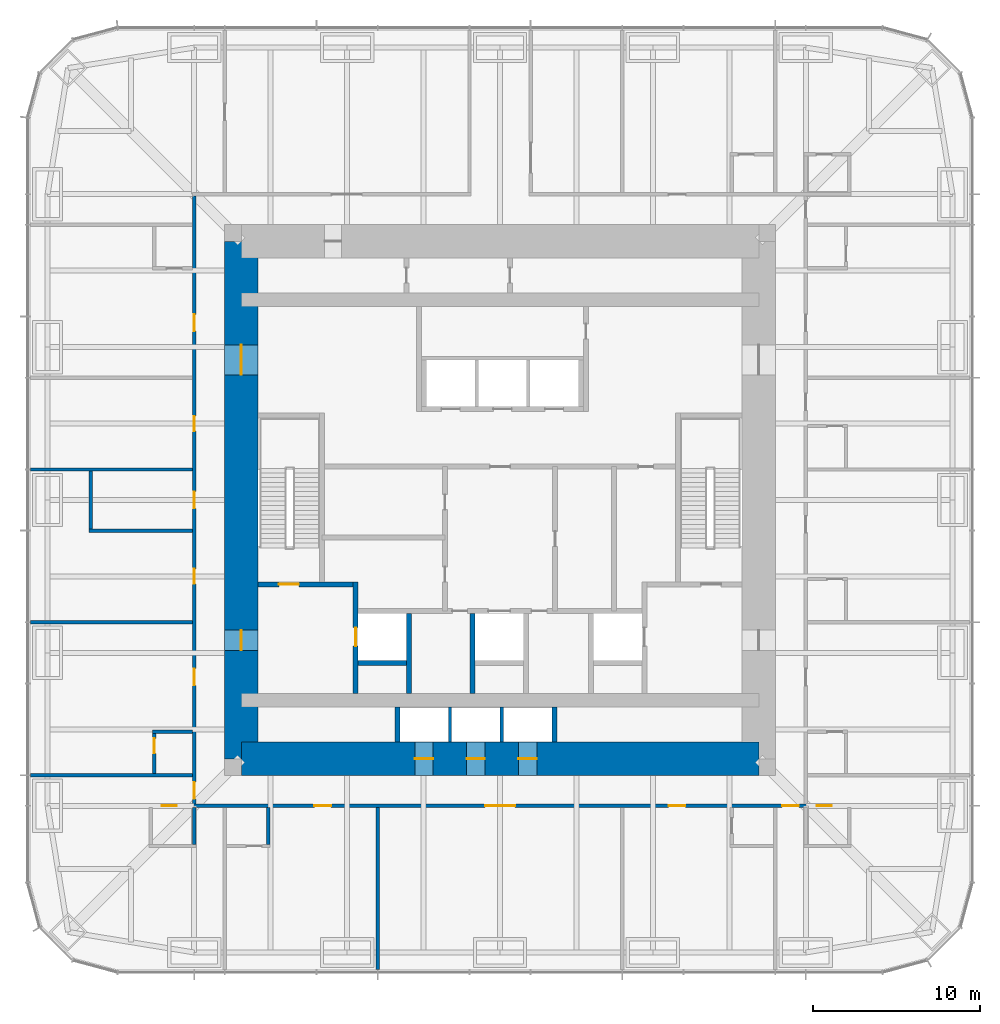
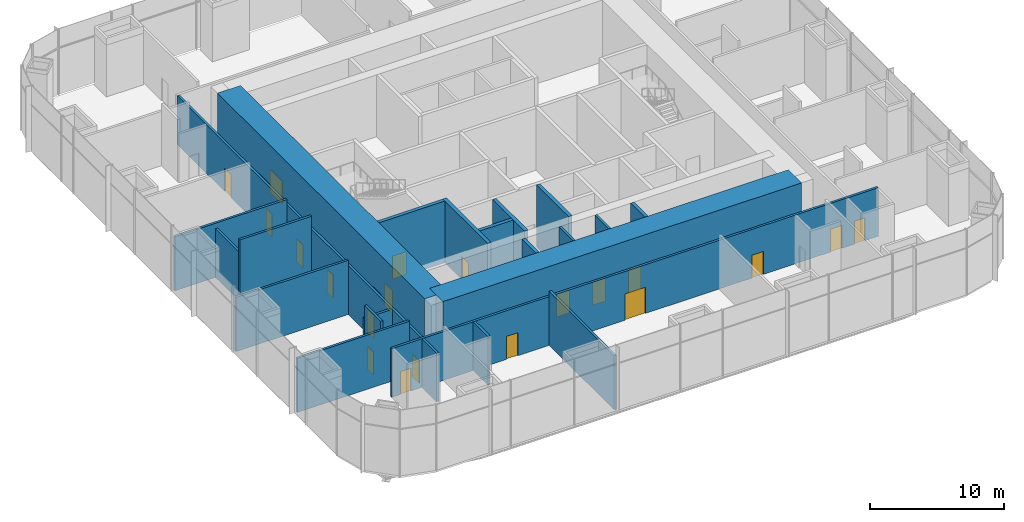
# One storey, part 8 of 12: 23 walls, 20 doors, 20 openings.
"""IFC4 building model written with IfcOpenShell, lengths in metres."""

from ifc_helpers import new_model, si_unit, direction, frame, frame_2d, origin, place, context, subcontext, project, spatial, rectangle, extrude, material, layer, layer_set, type_object, element, fill, save


model = new_model("IFC4")

# Units and contexts
model_context = context("Model", 3, precision=1e-05, world=origin(), true_north=direction((0.0, 1.0)))
body_context = subcontext(model_context, "Body", "Model", "MODEL_VIEW")
ifc_project = project(units=[si_unit("LENGTHUNIT", "METRE"), si_unit("AREAUNIT", "SQUARE_METRE"), si_unit("VOLUMEUNIT", "CUBIC_METRE"), si_unit("PLANEANGLEUNIT", "RADIAN"), si_unit("MASSUNIT", "GRAM", prefix="KILO")], contexts=[model_context])

# Site, building, storey
site_placement = place(None, origin())
site = spatial("IfcSite", under=ifc_project, at=site_placement, CompositionType="ELEMENT")
building_placement = place(site_placement, origin())
building = spatial("IfcBuilding", under=site, at=building_placement, Name="Khuree Lantern Residences", CompositionType="ELEMENT")
storey_placement = place(building_placement, frame((0.0, 0.0, 186.0)))
storey = spatial("IfcBuildingStorey", under=building, at=storey_placement, Name="L47", CompositionType="ELEMENT", Elevation=186.0)

# Wall, opening, door
ifc_material_1 = material(Name="Dense concrete blockwork", Category="masonry")
ifc_layer_1 = layer(ifc_material_1, 0.300048828125)
ifc_layer_set_1 = layer_set([ifc_layer_1], Name="CORE PARTITION WALL CPW300 EI 120")
wall_type_1 = type_object("IfcWallType", Name="CORE PARTITION WALL CPW300 EI 120", PredefinedType="PARTITIONING", material=ifc_layer_set_1)
wall_1_placement = place(storey_placement, frame((-8.64990234375, -11.60009765625, 0.0), z_axis=(0.0, 0.0, 1.0), x_axis=(0.0, 1.0, 0.0)))
wall_1 = element("IfcWall", 1, at=wall_1_placement, inside=storey, type_object=wall_type_1, Name="L47 CORE WALL FL1W", PredefinedType="PARTITIONING", context=body_context, shape_type="SweptSolid", body=[
    extrude(rectangle(XDim=6.7001953125, YDim=0.300048828125, at=frame_2d((3.35009765625, 0.0))), origin(), (0.0, 0.0, 1.0), 5.64990234375),
])
opening_1_placement = place(wall_1_placement, frame((2.85009765625, 0.0, 0.0)))
opening_1 = element("IfcOpeningElement", 2, at=opening_1_placement, cuts=wall_1, Name="Opening 47-007", PredefinedType="OPENING", context=body_context, shape_type="SweptSolid", body=[
    extrude(rectangle(XDim=1.10009765625, YDim=2.10009765625, at=frame_2d((0.550048828125, 1.050048828125))), frame((0.0, 0.16015625, 0.0), z_axis=(0.0, -1.0, 0.0), x_axis=(1.0, 0.0, 0.0)), (0.0, 0.0, 1.0), 0.320068359375),
])
ifc_material_2 = material(Name="Stainless steel lift landing door", Category="steel")
door_type_1 = type_object("IfcDoorType", Name="LIFT LANDING DOOR 1100X2100 E 120", OperationType="DOUBLE_DOOR_SLIDING", PredefinedType="DOOR", material=ifc_material_2)
door_1_placement = place(opening_1_placement, origin())
door_1 = element("IfcDoor", 3, at=door_1_placement, inside=storey, type_object=door_type_1, Name="Landing door FL1 47-007", OperationType="DOUBLE_DOOR_SLIDING", OverallHeight=2.10009765625, OverallWidth=1.10009765625, PredefinedType="DOOR", context=body_context, shape_type="SweptSolid", body=[
    extrude(rectangle(XDim=1.10009765625, YDim=2.10009765625, at=frame_2d((0.550048828125, 1.050048828125))), frame((0.0, 0.02490234375, 0.0), z_axis=(0.0, -1.0, 0.0), x_axis=(1.0, 0.0, 0.0)), (0.0, 0.0, 1.0), 0.050048828125),
])
fill(opening_1, door_1)

# Walls
for number, where, z_axis, x_axis, name in (
    (4, (-5.449951171875, -11.60009765625, 0.0), (0.0, 0.0, 1.0), (0.0, 1.0, 0.0), "L47 CORE WALL FL1E"),
    (5, (-1.64990234375, -11.60009765625, 0.0), (0.0, 0.0, 1.0), (0.0, 1.0, 0.0), "L47 CORE WALL SL1W"),
):
    element("IfcWall", number, at=place(storey_placement, frame(where, z_axis=z_axis, x_axis=x_axis)), inside=storey, type_object=wall_type_1, Name=name, PredefinedType="PARTITIONING", context=body_context, shape_type="SweptSolid", body=[
        extrude(rectangle(XDim=4.800048828125, YDim=0.300048828125, at=frame_2d((2.39990234375, 0.0))), origin(), (0.0, 0.0, 1.0), 5.64990234375),
    ])
wall_2_placement = place(storey_placement, frame((-8.5, -9.75, 0.0), z_axis=(0.0, 0.0, 1.0), x_axis=(1.0, 0.0, 0.0)))
element("IfcWall", 6, at=wall_2_placement, inside=storey, type_object=wall_type_1, Name="L47 CORE WALL FL1S", PredefinedType="PARTITIONING", context=body_context, shape_type="SweptSolid", body=[
    extrude(rectangle(XDim=2.89990234375, YDim=0.300048828125, at=frame_2d((1.449951171875, 0.0))), origin(), (0.0, 0.0, 1.0), 5.64990234375),
])
for number, where, z_axis, x_axis, name in (
    (7, (-6.14990234375, -14.5, 0.0), (0.0, 0.0, 1.0), (0.0, 1.0, 0.0), "L47 CORE WALL PMW"),
    (8, (3.25, -14.5, 0.0), (0.0, 0.0, 1.0), (0.0, 1.0, 0.0), "L47 CORE WALL PME"),
):
    element("IfcWall", number, at=place(storey_placement, frame(where, z_axis=z_axis, x_axis=x_axis)), inside=storey, type_object=wall_type_1, Name=name, PredefinedType="PARTITIONING", context=body_context, shape_type="SweptSolid", body=[
        extrude(rectangle(XDim=2.10009765625, YDim=0.300048828125, at=frame_2d((1.050048828125, 0.0))), origin(), (0.0, 0.0, 1.0), 5.64990234375),
    ])

# Wall, openings, doors
ifc_material_3 = material(Name="Concrete C70/85", Category="concrete")
ifc_layer_2 = layer(ifc_material_3, 2.0)
ifc_layer_set_2 = layer_set([ifc_layer_2], Name="CW2000-C70 CORE WALL C70 2000")
wall_type_2 = type_object("IfcWallType", Name="CW2000-C70 CORE WALL C70 2000", PredefinedType="SHEAR", material=ifc_layer_set_2)
wall_3_placement = place(storey_placement, frame((-15.5, -15.5, -0.300048828125), z_axis=(0.0, 0.0, 1.0), x_axis=(1.0, 0.0, 0.0)))
wall_3 = element("IfcWall", 9, at=wall_3_placement, inside=storey, type_object=wall_type_2, Name="Core wall S", PredefinedType="SHEAR", context=body_context, shape_type="SweptSolid", body=[
    extrude(rectangle(XDim=31.0, YDim=2.0, at=frame_2d((15.5, 0.0))), origin(), (0.0, 0.0, 1.0), 5.949951171875),
])
opening_2_placement = place(wall_3_placement, frame((10.39990234375, 0.0, 0.300048828125)))
opening_2 = element("IfcOpeningElement", 10, at=opening_2_placement, cuts=wall_3, Name="Opening 47-012", PredefinedType="OPENING", context=body_context, shape_type="SweptSolid", body=[
    extrude(rectangle(XDim=1.10009765625, YDim=2.10009765625, at=frame_2d((0.550048828125, 1.050048828125))), frame((0.0, 1.010009765625, 0.0), z_axis=(0.0, -1.0, 0.0), x_axis=(1.0, 0.0, 0.0)), (0.0, 0.0, 1.0), 2.02001953125),
])
opening_3_placement = place(wall_3_placement, frame((13.5, 0.0, 0.300048828125)))
opening_3 = element("IfcOpeningElement", 11, at=opening_3_placement, cuts=wall_3, Name="Opening 47-013", PredefinedType="OPENING", context=body_context, shape_type="SweptSolid", body=[
    extrude(rectangle(XDim=1.10009765625, YDim=2.10009765625, at=frame_2d((0.550048828125, 1.050048828125))), frame((0.0, 1.010009765625, 0.0), z_axis=(0.0, -1.0, 0.0), x_axis=(1.0, 0.0, 0.0)), (0.0, 0.0, 1.0), 2.02001953125),
])
opening_4_placement = place(wall_3_placement, frame((16.60009765625, 0.0, 0.300048828125)))
opening_4 = element("IfcOpeningElement", 12, at=opening_4_placement, cuts=wall_3, Name="Opening 47-014", PredefinedType="OPENING", context=body_context, shape_type="SweptSolid", body=[
    extrude(rectangle(XDim=1.10009765625, YDim=2.10009765625, at=frame_2d((0.550048828125, 1.050048828125))), frame((0.0, 1.010009765625, 0.0), z_axis=(0.0, -1.0, 0.0), x_axis=(1.0, 0.0, 0.0)), (0.0, 0.0, 1.0), 2.02001953125),
])
door_type_2 = type_object("IfcDoorType", Name="LIFT LANDING DOOR 1100X2100 E 60", OperationType="DOUBLE_DOOR_SLIDING", PredefinedType="DOOR", material=ifc_material_2)
door_2_placement = place(opening_2_placement, origin())
door_2 = element("IfcDoor", 13, at=door_2_placement, inside=storey, type_object=door_type_2, Name="Landing door PM1 47-012", OperationType="DOUBLE_DOOR_SLIDING", OverallHeight=2.10009765625, OverallWidth=1.10009765625, PredefinedType="DOOR", context=body_context, shape_type="SweptSolid", body=[
    extrude(rectangle(XDim=1.10009765625, YDim=2.10009765625, at=frame_2d((0.550048828125, 1.050048828125))), frame((0.0, 0.02490234375, 0.0), z_axis=(0.0, -1.0, 0.0), x_axis=(1.0, 0.0, 0.0)), (0.0, 0.0, 1.0), 0.050048828125),
])
fill(opening_2, door_2)
door_3_placement = place(opening_3_placement, origin())
door_3 = element("IfcDoor", 14, at=door_3_placement, inside=storey, type_object=door_type_2, Name="Landing door PM2 47-013", OperationType="DOUBLE_DOOR_SLIDING", OverallHeight=2.10009765625, OverallWidth=1.10009765625, PredefinedType="DOOR", context=body_context, shape_type="SweptSolid", body=[
    extrude(rectangle(XDim=1.10009765625, YDim=2.10009765625, at=frame_2d((0.550048828125, 1.050048828125))), frame((0.0, 0.02490234375, 0.0), z_axis=(0.0, -1.0, 0.0), x_axis=(1.0, 0.0, 0.0)), (0.0, 0.0, 1.0), 0.050048828125),
])
fill(opening_3, door_3)
door_4_placement = place(opening_4_placement, origin())
door_4 = element("IfcDoor", 15, at=door_4_placement, inside=storey, type_object=door_type_2, Name="Landing door PM3 47-014", OperationType="DOUBLE_DOOR_SLIDING", OverallHeight=2.10009765625, OverallWidth=1.10009765625, PredefinedType="DOOR", context=body_context, shape_type="SweptSolid", body=[
    extrude(rectangle(XDim=1.10009765625, YDim=2.10009765625, at=frame_2d((0.550048828125, 1.050048828125))), frame((0.0, 0.02490234375, 0.0), z_axis=(0.0, -1.0, 0.0), x_axis=(1.0, 0.0, 0.0)), (0.0, 0.0, 1.0), 0.050048828125),
])
fill(opening_4, door_4)

wall_4_placement = place(storey_placement, frame((-15.5, -15.5, -0.300048828125), z_axis=(0.0, 0.0, 1.0), x_axis=(0.0, 1.0, 0.0)))
wall_4 = element("IfcWall", 16, at=wall_4_placement, inside=storey, type_object=wall_type_2, Name="Core wall W", PredefinedType="SHEAR", context=body_context, shape_type="SweptSolid", body=[
    extrude(rectangle(XDim=31.0, YDim=2.0, at=frame_2d((15.5, 0.0))), origin(), (0.0, 0.0, 1.0), 5.949951171875),
])
opening_5_placement = place(wall_4_placement, frame((6.5, 0.0, 0.300048828125)))
opening_5 = element("IfcOpeningElement", 17, at=opening_5_placement, cuts=wall_4, Name="Opening 47-002", PredefinedType="OPENING", context=body_context, shape_type="SweptSolid", body=[
    extrude(rectangle(XDim=1.199951171875, YDim=2.10009765625, at=frame_2d((0.60009765625, 1.050048828125))), frame((0.0, 1.010009765625, 0.0), z_axis=(0.0, -1.0, 0.0), x_axis=(1.0, 0.0, 0.0)), (0.0, 0.0, 1.0), 2.02001953125),
])
opening_6_placement = place(wall_4_placement, frame((23.0, 0.0, 0.300048828125)))
opening_6 = element("IfcOpeningElement", 18, at=opening_6_placement, cuts=wall_4, Name="Opening 47-003", PredefinedType="OPENING", context=body_context, shape_type="SweptSolid", body=[
    extrude(rectangle(XDim=1.800048828125, YDim=2.10009765625, at=frame_2d((0.89990234375, 1.050048828125))), frame((0.0, 1.010009765625, 0.0), z_axis=(0.0, -1.0, 0.0), x_axis=(1.0, 0.0, 0.0)), (0.0, 0.0, 1.0), 2.02001953125),
])
ifc_material_4 = material(Name="Steel door leaf in steel frame", Category="steel")
door_type_3 = type_object("IfcDoorType", Name="LOBBY DOOR 1200X2100 EI 120", OperationType="SINGLE_SWING_LEFT", PredefinedType="DOOR", material=ifc_material_4)
door_5_placement = place(opening_5_placement, origin())
door_5 = element("IfcDoor", 19, at=door_5_placement, inside=storey, type_object=door_type_3, Name="Firefighting lobby door 47-002", OperationType="SINGLE_SWING_LEFT", OverallHeight=2.10009765625, OverallWidth=1.199951171875, PredefinedType="DOOR", context=body_context, shape_type="SweptSolid", body=[
    extrude(rectangle(XDim=1.199951171875, YDim=2.10009765625, at=frame_2d((0.60009765625, 1.050048828125))), frame((0.0, 0.02490234375, 0.0), z_axis=(0.0, -1.0, 0.0), x_axis=(1.0, 0.0, 0.0)), (0.0, 0.0, 1.0), 0.050048828125),
])
fill(opening_5, door_5)
door_type_4 = type_object("IfcDoorType", Name="LOBBY DOUBLE DOOR 1800X2100 EI 60", OperationType="DOUBLE_DOOR_SINGLE_SWING", PredefinedType="DOOR", material=ifc_material_4)
door_6_placement = place(opening_6_placement, origin())
door_6 = element("IfcDoor", 20, at=door_6_placement, inside=storey, type_object=door_type_4, Name="Lift lobby door 47-003", OperationType="DOUBLE_DOOR_SINGLE_SWING", OverallHeight=2.10009765625, OverallWidth=1.800048828125, PredefinedType="DOOR", context=body_context, shape_type="SweptSolid", body=[
    extrude(rectangle(XDim=1.800048828125, YDim=2.10009765625, at=frame_2d((0.89990234375, 1.050048828125))), frame((0.0, 0.02490234375, 0.0), z_axis=(0.0, -1.0, 0.0), x_axis=(1.0, 0.0, 0.0)), (0.0, 0.0, 1.0), 0.050048828125),
])
fill(opening_6, door_6)

# Walls
ifc_layer_3 = layer(ifc_material_1, 0.199951171875)
ifc_layer_set_3 = layer_set([ifc_layer_3], Name="ROOM WALL RMW200")
wall_type_3 = type_object("IfcWallType", Name="ROOM WALL RMW200", PredefinedType="SOLIDWALL", material=ifc_layer_set_3)
wall_5_placement = place(storey_placement, frame((-7.327880859375, -28.1298828125, 0.0), z_axis=(0.0, 0.0, 1.0), x_axis=(0.0, 1.0, 0.0)))
element("IfcWall", 21, at=wall_5_placement, inside=storey, type_object=wall_type_3, Name="L47 ROOM WALL 2", PredefinedType="SOLIDWALL", context=body_context, shape_type="SweptSolid", body=[
    extrude(rectangle(XDim=9.7099609375, YDim=0.199951171875, at=frame_2d((4.85498046875, 0.0))), origin(), (0.0, 0.0, 1.0), 4.949951171875),
])
for number, where, z_axis, x_axis, name in (
    (22, (-18.320068359375, -20.6201171875, 0.0), (0.0, 0.0, 1.0), (0.0, 1.0, 0.0), "L47 ROOM WALL 10"),
    (23, (-13.887939453125, -20.6201171875, 0.0), (0.0, 0.0, 1.0), (0.0, 1.0, 0.0), "L47 ROOM WALL 11"),
):
    element("IfcWall", number, at=place(storey_placement, frame(where, z_axis=z_axis, x_axis=x_axis)), inside=storey, type_object=wall_type_3, Name=name, PredefinedType="SOLIDWALL", context=body_context, shape_type="SweptSolid", body=[
        extrude(rectangle(XDim=2.2001953125, YDim=0.199951171875, at=frame_2d((1.10009765625, 0.0))), origin(), (0.0, 0.0, 1.0), 4.449951171875),
    ])

# Wall, openings, doors
wall_6_placement = place(storey_placement, frame((-21.02001953125, -18.320068359375, 0.0), z_axis=(0.0, 0.0, 1.0), x_axis=(1.0, 0.0, 0.0)))
wall_6 = element("IfcWall", 24, at=wall_6_placement, inside=storey, type_object=wall_type_3, Name="L47 ROOM WALL 15", PredefinedType="SOLIDWALL", context=body_context, shape_type="SweptSolid", body=[
    extrude(rectangle(XDim=42.0400390625, YDim=0.199951171875, at=frame_2d((21.02001953125, 0.0))), origin(), (0.0, 0.0, 1.0), 4.449951171875),
])
opening_7_placement = place(wall_6_placement, frame((9.902099609375, 0.0, 0.0)))
opening_7 = element("IfcOpeningElement", 25, at=opening_7_placement, cuts=wall_6, Name="Opening 47-028", PredefinedType="OPENING", context=body_context, shape_type="SweptSolid", body=[
    extrude(rectangle(XDim=1.0, YDim=2.10009765625, at=frame_2d((0.5, 1.050048828125))), frame((0.0, 0.10986328125, 0.0), z_axis=(0.0, -1.0, 0.0), x_axis=(1.0, 0.0, 0.0)), (0.0, 0.0, 1.0), 0.219970703125),
])
opening_8_placement = place(wall_6_placement, frame((20.1298828125, 0.0, 0.0)))
opening_8 = element("IfcOpeningElement", 26, at=opening_8_placement, cuts=wall_6, Name="Opening 47-030", PredefinedType="OPENING", context=body_context, shape_type="SweptSolid", body=[
    extrude(rectangle(XDim=1.800048828125, YDim=2.39990234375, at=frame_2d((0.89990234375, 1.199951171875))), frame((0.0, 0.10986328125, 0.0), z_axis=(0.0, -1.0, 0.0), x_axis=(1.0, 0.0, 0.0)), (0.0, 0.0, 1.0), 0.219970703125),
])
opening_9_placement = place(wall_6_placement, frame((37.9140625, 0.0, 0.0)))
opening_9 = element("IfcOpeningElement", 27, at=opening_9_placement, cuts=wall_6, Name="Opening 47-031", PredefinedType="OPENING", context=body_context, shape_type="SweptSolid", body=[
    extrude(rectangle(XDim=1.0, YDim=2.10009765625, at=frame_2d((0.5, 1.050048828125))), frame((0.0, 0.10986328125, 0.0), z_axis=(0.0, -1.0, 0.0), x_axis=(1.0, 0.0, 0.0)), (0.0, 0.0, 1.0), 0.219970703125),
])
opening_10_placement = place(wall_6_placement, frame((31.117919921875, 0.0, 0.0)))
opening_10 = element("IfcOpeningElement", 28, at=opening_10_placement, cuts=wall_6, Name="Opening 47-032", PredefinedType="OPENING", context=body_context, shape_type="SweptSolid", body=[
    extrude(rectangle(XDim=1.0, YDim=2.10009765625, at=frame_2d((0.5, 1.050048828125))), frame((0.0, 0.10986328125, 0.0), z_axis=(0.0, -1.0, 0.0), x_axis=(1.0, 0.0, 0.0)), (0.0, 0.0, 1.0), 0.219970703125),
])
opening_11_placement = place(wall_6_placement, frame((0.75, 0.0, 0.0)))
opening_11 = element("IfcOpeningElement", 29, at=opening_11_placement, cuts=wall_6, Name="Opening 47-046", PredefinedType="OPENING", context=body_context, shape_type="SweptSolid", body=[
    extrude(rectangle(XDim=0.89990234375, YDim=2.10009765625, at=frame_2d((0.449951171875, 1.050048828125))), frame((0.0, 0.10986328125, 0.0), z_axis=(0.0, -1.0, 0.0), x_axis=(1.0, 0.0, 0.0)), (0.0, 0.0, 1.0), 0.219970703125),
])
opening_12_placement = place(wall_6_placement, frame((39.989990234375, 0.0, 0.0)))
opening_12 = element("IfcOpeningElement", 30, at=opening_12_placement, cuts=wall_6, Name="Opening 47-049", PredefinedType="OPENING", context=body_context, shape_type="SweptSolid", body=[
    extrude(rectangle(XDim=0.89990234375, YDim=2.10009765625, at=frame_2d((0.449951171875, 1.050048828125))), frame((0.0, 0.10986328125, 0.0), z_axis=(0.0, -1.0, 0.0), x_axis=(1.0, 0.0, 0.0)), (0.0, 0.0, 1.0), 0.219970703125),
])
ifc_material_5 = material(Name="Timber door leaf in hardwood frame", Category="wood")
door_type_5 = type_object("IfcDoorType", Name="DOOR 1000X2100", OperationType="SINGLE_SWING_LEFT", PredefinedType="DOOR", material=ifc_material_5)
door_7_placement = place(opening_7_placement, origin())
door_7 = element("IfcDoor", 31, at=door_7_placement, inside=storey, type_object=door_type_5, Name="Guest suite door 47-028", OperationType="SINGLE_SWING_LEFT", OverallHeight=2.10009765625, OverallWidth=1.0, PredefinedType="DOOR", context=body_context, shape_type="SweptSolid", body=[
    extrude(rectangle(XDim=1.0, YDim=2.10009765625, at=frame_2d((0.5, 1.050048828125))), frame((0.0, 0.02490234375, 0.0), z_axis=(0.0, -1.0, 0.0), x_axis=(1.0, 0.0, 0.0)), (0.0, 0.0, 1.0), 0.050048828125),
])
fill(opening_7, door_7)
door_8_placement = place(opening_10_placement, origin())
door_8 = element("IfcDoor", 32, at=door_8_placement, inside=storey, type_object=door_type_5, Name="Guest suite door 47-032", OperationType="SINGLE_SWING_LEFT", OverallHeight=2.10009765625, OverallWidth=1.0, PredefinedType="DOOR", context=body_context, shape_type="SweptSolid", body=[
    extrude(rectangle(XDim=1.0, YDim=2.10009765625, at=frame_2d((0.5, 1.050048828125))), frame((0.0, 0.02490234375, 0.0), z_axis=(0.0, -1.0, 0.0), x_axis=(1.0, 0.0, 0.0)), (0.0, 0.0, 1.0), 0.050048828125),
])
fill(opening_10, door_8)
door_type_6 = type_object("IfcDoorType", Name="DOOR 1000X2100 RIGHT HAND", OperationType="SINGLE_SWING_RIGHT", PredefinedType="DOOR", material=ifc_material_5)
door_9_placement = place(opening_9_placement, origin())
door_9 = element("IfcDoor", 33, at=door_9_placement, inside=storey, type_object=door_type_6, Name="Corner guest suite door 47-031", OperationType="SINGLE_SWING_RIGHT", OverallHeight=2.10009765625, OverallWidth=1.0, PredefinedType="DOOR", context=body_context, shape_type="SweptSolid", body=[
    extrude(rectangle(XDim=1.0, YDim=2.10009765625, at=frame_2d((0.5, 1.050048828125))), frame((0.0, 0.02490234375, 0.0), z_axis=(0.0, -1.0, 0.0), x_axis=(1.0, 0.0, 0.0)), (0.0, 0.0, 1.0), 0.050048828125),
])
fill(opening_9, door_9)
door_type_7 = type_object("IfcDoorType", Name="DOUBLE DOOR 1800X2400", OperationType="DOUBLE_DOOR_SINGLE_SWING", PredefinedType="DOOR", material=ifc_material_5)
door_10_placement = place(opening_8_placement, origin())
door_10 = element("IfcDoor", 34, at=door_10_placement, inside=storey, type_object=door_type_7, Name="Sky lounge door 47-030", OperationType="DOUBLE_DOOR_SINGLE_SWING", OverallHeight=2.39990234375, OverallWidth=1.800048828125, PredefinedType="DOOR", context=body_context, shape_type="SweptSolid", body=[
    extrude(rectangle(XDim=1.800048828125, YDim=2.39990234375, at=frame_2d((0.89990234375, 1.199951171875))), frame((0.0, 0.02490234375, 0.0), z_axis=(0.0, -1.0, 0.0), x_axis=(1.0, 0.0, 0.0)), (0.0, 0.0, 1.0), 0.050048828125),
])
fill(opening_8, door_10)
door_type_8 = type_object("IfcDoorType", Name="WC DOOR 900X2100", OperationType="SINGLE_SWING_LEFT", PredefinedType="DOOR", material=ifc_material_5)
door_11_placement = place(opening_12_placement, origin())
door_11 = element("IfcDoor", 35, at=door_11_placement, inside=storey, type_object=door_type_8, Name="En-suite bathroom door 47-049", OperationType="SINGLE_SWING_LEFT", OverallHeight=2.10009765625, OverallWidth=0.89990234375, PredefinedType="DOOR", context=body_context, shape_type="SweptSolid", body=[
    extrude(rectangle(XDim=0.89990234375, YDim=2.10009765625, at=frame_2d((0.449951171875, 1.050048828125))), frame((0.0, 0.02490234375, 0.0), z_axis=(0.0, -1.0, 0.0), x_axis=(1.0, 0.0, 0.0)), (0.0, 0.0, 1.0), 0.050048828125),
])
fill(opening_12, door_11)
door_type_9 = type_object("IfcDoorType", Name="WC DOOR 900X2100 RIGHT HAND", OperationType="SINGLE_SWING_RIGHT", PredefinedType="DOOR", material=ifc_material_5)
door_12_placement = place(opening_11_placement, origin())
door_12 = element("IfcDoor", 36, at=door_12_placement, inside=storey, type_object=door_type_9, Name="En-suite bathroom door 47-046", OperationType="SINGLE_SWING_RIGHT", OverallHeight=2.10009765625, OverallWidth=0.89990234375, PredefinedType="DOOR", context=body_context, shape_type="SweptSolid", body=[
    extrude(rectangle(XDim=0.89990234375, YDim=2.10009765625, at=frame_2d((0.449951171875, 1.050048828125))), frame((0.0, 0.02490234375, 0.0), z_axis=(0.0, -1.0, 0.0), x_axis=(1.0, 0.0, 0.0)), (0.0, 0.0, 1.0), 0.050048828125),
])
fill(opening_11, door_12)

wall_7_placement = place(storey_placement, frame((-18.320068359375, -18.219970703125, 0.0), z_axis=(0.0, 0.0, 1.0), x_axis=(0.0, 1.0, 0.0)))
wall_7 = element("IfcWall", 37, at=wall_7_placement, inside=storey, type_object=wall_type_3, Name="L47 ROOM WALL 16", PredefinedType="SOLIDWALL", context=body_context, shape_type="SweptSolid", body=[
    extrude(rectangle(XDim=36.43994140625, YDim=0.199951171875, at=frame_2d((18.219970703125, 0.0))), origin(), (0.0, 0.0, 1.0), 4.449951171875),
])
opening_13_placement = place(wall_7_placement, frame((0.325927734375, 0.0, 0.0)))
opening_13 = element("IfcOpeningElement", 38, at=opening_13_placement, cuts=wall_7, Name="Opening 47-027", PredefinedType="OPENING", context=body_context, shape_type="SweptSolid", body=[
    extrude(rectangle(XDim=1.0, YDim=2.10009765625, at=frame_2d((0.5, 1.050048828125))), frame((0.0, 0.10986328125, 0.0), z_axis=(0.0, -1.0, 0.0), x_axis=(1.0, 0.0, 0.0)), (0.0, 0.0, 1.0), 0.219970703125),
])
opening_14_placement = place(wall_7_placement, frame((7.1220703125, 0.0, 0.0)))
opening_14 = element("IfcOpeningElement", 39, at=opening_14_placement, cuts=wall_7, Name="Opening 47-029", PredefinedType="OPENING", context=body_context, shape_type="SweptSolid", body=[
    extrude(rectangle(XDim=1.0, YDim=2.10009765625, at=frame_2d((0.5, 1.050048828125))), frame((0.0, 0.10986328125, 0.0), z_axis=(0.0, -1.0, 0.0), x_axis=(1.0, 0.0, 0.0)), (0.0, 0.0, 1.0), 0.219970703125),
])
opening_15_placement = place(wall_7_placement, frame((28.337890625, 0.0, 0.0)))
opening_15 = element("IfcOpeningElement", 40, at=opening_15_placement, cuts=wall_7, Name="Opening 47-042", PredefinedType="OPENING", context=body_context, shape_type="SweptSolid", body=[
    extrude(rectangle(XDim=1.0, YDim=2.10009765625, at=frame_2d((0.5, 1.050048828125))), frame((0.0, 0.10986328125, 0.0), z_axis=(0.0, -1.0, 0.0), x_axis=(1.0, 0.0, 0.0)), (0.0, 0.0, 1.0), 0.219970703125),
])
opening_16_placement = place(wall_7_placement, frame((22.340087890625, 0.0, 0.0)))
opening_16 = element("IfcOpeningElement", 41, at=opening_16_placement, cuts=wall_7, Name="Opening 47-043", PredefinedType="OPENING", context=body_context, shape_type="SweptSolid", body=[
    extrude(rectangle(XDim=0.89990234375, YDim=2.10009765625, at=frame_2d((0.449951171875, 1.050048828125))), frame((0.0, 0.10986328125, 0.0), z_axis=(0.0, -1.0, 0.0), x_axis=(1.0, 0.0, 0.0)), (0.0, 0.0, 1.0), 0.219970703125),
])
opening_17_placement = place(wall_7_placement, frame((13.199951171875, 0.0, 0.0)))
opening_17 = element("IfcOpeningElement", 42, at=opening_17_placement, cuts=wall_7, Name="Opening 47-044", PredefinedType="OPENING", context=body_context, shape_type="SweptSolid", body=[
    extrude(rectangle(XDim=0.89990234375, YDim=2.10009765625, at=frame_2d((0.449951171875, 1.050048828125))), frame((0.0, 0.10986328125, 0.0), z_axis=(0.0, -1.0, 0.0), x_axis=(1.0, 0.0, 0.0)), (0.0, 0.0, 1.0), 0.219970703125),
])
opening_18_placement = place(wall_7_placement, frame((17.719970703125, 0.0, 0.0)))
opening_18 = element("IfcOpeningElement", 43, at=opening_18_placement, cuts=wall_7, Name="Opening 47-045", PredefinedType="OPENING", context=body_context, shape_type="SweptSolid", body=[
    extrude(rectangle(XDim=1.0, YDim=2.10009765625, at=frame_2d((0.5, 1.050048828125))), frame((0.0, 0.10986328125, 0.0), z_axis=(0.0, -1.0, 0.0), x_axis=(1.0, 0.0, 0.0)), (0.0, 0.0, 1.0), 0.219970703125),
])
door_type_10 = type_object("IfcDoorType", Name="ACCESSIBLE WC DOOR 1000X2100", OperationType="SINGLE_SWING_LEFT", PredefinedType="DOOR", material=ifc_material_5)
door_13_placement = place(opening_18_placement, origin())
door_13 = element("IfcDoor", 44, at=door_13_placement, inside=storey, type_object=door_type_10, Name="Accessible WC door 47-045", OperationType="SINGLE_SWING_LEFT", OverallHeight=2.10009765625, OverallWidth=1.0, PredefinedType="DOOR", context=body_context, shape_type="SweptSolid", body=[
    extrude(rectangle(XDim=1.0, YDim=2.10009765625, at=frame_2d((0.5, 1.050048828125))), frame((0.0, 0.02490234375, 0.0), z_axis=(0.0, -1.0, 0.0), x_axis=(1.0, 0.0, 0.0)), (0.0, 0.0, 1.0), 0.050048828125),
])
fill(opening_18, door_13)
door_14_placement = place(opening_13_placement, origin())
door_14 = element("IfcDoor", 45, at=door_14_placement, inside=storey, type_object=door_type_5, Name="Corner guest suite door 47-027", OperationType="SINGLE_SWING_LEFT", OverallHeight=2.10009765625, OverallWidth=1.0, PredefinedType="DOOR", context=body_context, shape_type="SweptSolid", body=[
    extrude(rectangle(XDim=1.0, YDim=2.10009765625, at=frame_2d((0.5, 1.050048828125))), frame((0.0, 0.02490234375, 0.0), z_axis=(0.0, -1.0, 0.0), x_axis=(1.0, 0.0, 0.0)), (0.0, 0.0, 1.0), 0.050048828125),
])
fill(opening_13, door_14)
door_15_placement = place(opening_14_placement, origin())
door_15 = element("IfcDoor", 46, at=door_15_placement, inside=storey, type_object=door_type_5, Name="Guest suite door 47-029", OperationType="SINGLE_SWING_LEFT", OverallHeight=2.10009765625, OverallWidth=1.0, PredefinedType="DOOR", context=body_context, shape_type="SweptSolid", body=[
    extrude(rectangle(XDim=1.0, YDim=2.10009765625, at=frame_2d((0.5, 1.050048828125))), frame((0.0, 0.02490234375, 0.0), z_axis=(0.0, -1.0, 0.0), x_axis=(1.0, 0.0, 0.0)), (0.0, 0.0, 1.0), 0.050048828125),
])
fill(opening_14, door_15)
door_16_placement = place(opening_15_placement, origin())
door_16 = element("IfcDoor", 47, at=door_16_placement, inside=storey, type_object=door_type_5, Name="Guest suite door 47-042", OperationType="SINGLE_SWING_LEFT", OverallHeight=2.10009765625, OverallWidth=1.0, PredefinedType="DOOR", context=body_context, shape_type="SweptSolid", body=[
    extrude(rectangle(XDim=1.0, YDim=2.10009765625, at=frame_2d((0.5, 1.050048828125))), frame((0.0, 0.02490234375, 0.0), z_axis=(0.0, -1.0, 0.0), x_axis=(1.0, 0.0, 0.0)), (0.0, 0.0, 1.0), 0.050048828125),
])
fill(opening_15, door_16)
door_17_placement = place(opening_16_placement, origin())
door_17 = element("IfcDoor", 48, at=door_17_placement, inside=storey, type_object=door_type_8, Name="Female WC door 47-043", OperationType="SINGLE_SWING_LEFT", OverallHeight=2.10009765625, OverallWidth=0.89990234375, PredefinedType="DOOR", context=body_context, shape_type="SweptSolid", body=[
    extrude(rectangle(XDim=0.89990234375, YDim=2.10009765625, at=frame_2d((0.449951171875, 1.050048828125))), frame((0.0, 0.02490234375, 0.0), z_axis=(0.0, -1.0, 0.0), x_axis=(1.0, 0.0, 0.0)), (0.0, 0.0, 1.0), 0.050048828125),
])
fill(opening_16, door_17)
door_18_placement = place(opening_17_placement, origin())
door_18 = element("IfcDoor", 49, at=door_18_placement, inside=storey, type_object=door_type_8, Name="Male WC door 47-044", OperationType="SINGLE_SWING_LEFT", OverallHeight=2.10009765625, OverallWidth=0.89990234375, PredefinedType="DOOR", context=body_context, shape_type="SweptSolid", body=[
    extrude(rectangle(XDim=0.89990234375, YDim=2.10009765625, at=frame_2d((0.449951171875, 1.050048828125))), frame((0.0, 0.02490234375, 0.0), z_axis=(0.0, -1.0, 0.0), x_axis=(1.0, 0.0, 0.0)), (0.0, 0.0, 1.0), 0.050048828125),
])
fill(opening_17, door_18)

# Wall
wall_8_placement = place(storey_placement, frame((-28.1298828125, -16.488037109375, 0.0), z_axis=(0.0, 0.0, 1.0), x_axis=(1.0, 0.0, 0.0)))
element("IfcWall", 50, at=wall_8_placement, inside=storey, type_object=wall_type_3, Name="L47 ROOM WALL 18", PredefinedType="SOLIDWALL", context=body_context, shape_type="SweptSolid", body=[
    extrude(rectangle(XDim=9.7099609375, YDim=0.199951171875, at=frame_2d((4.85498046875, 0.0))), origin(), (0.0, 0.0, 1.0), 4.949951171875),
])

# Wall, opening, door
wall_9_placement = place(storey_placement, frame((-20.719970703125, -16.387939453125, 0.0), z_axis=(0.0, 0.0, 1.0), x_axis=(0.0, 1.0, 0.0)))
wall_9 = element("IfcWall", 51, at=wall_9_placement, inside=storey, type_object=wall_type_3, Name="L47 ROOM WALL 20", PredefinedType="SOLIDWALL", context=body_context, shape_type="SweptSolid", body=[
    extrude(rectangle(XDim=2.39990234375, YDim=0.199951171875, at=frame_2d((1.199951171875, 0.0))), origin(), (0.0, 0.0, 1.0), 5.64990234375),
])
opening_19_placement = place(wall_9_placement, frame((1.20703125, 0.0, 0.0)))
opening_19 = element("IfcOpeningElement", 52, at=opening_19_placement, cuts=wall_9, Name="Opening 47-048", PredefinedType="OPENING", context=body_context, shape_type="SweptSolid", body=[
    extrude(rectangle(XDim=0.89990234375, YDim=2.10009765625, at=frame_2d((0.449951171875, 1.050048828125))), frame((0.0, 0.10986328125, 0.0), z_axis=(0.0, -1.0, 0.0), x_axis=(1.0, 0.0, 0.0)), (0.0, 0.0, 1.0), 0.219970703125),
])
door_19_placement = place(opening_19_placement, origin())
door_19 = element("IfcDoor", 53, at=door_19_placement, inside=storey, type_object=door_type_8, Name="En-suite bathroom door 47-048", OperationType="SINGLE_SWING_LEFT", OverallHeight=2.10009765625, OverallWidth=0.89990234375, PredefinedType="DOOR", context=body_context, shape_type="SweptSolid", body=[
    extrude(rectangle(XDim=0.89990234375, YDim=2.10009765625, at=frame_2d((0.449951171875, 1.050048828125))), frame((0.0, 0.02490234375, 0.0), z_axis=(0.0, -1.0, 0.0), x_axis=(1.0, 0.0, 0.0)), (0.0, 0.0, 1.0), 0.050048828125),
])
fill(opening_19, door_19)

# Walls
wall_10_placement = place(storey_placement, frame((-20.820068359375, -13.887939453125, 0.0), z_axis=(0.0, 0.0, 1.0), x_axis=(1.0, 0.0, 0.0)))
element("IfcWall", 54, at=wall_10_placement, inside=storey, type_object=wall_type_3, Name="L47 ROOM WALL 22", PredefinedType="SOLIDWALL", context=body_context, shape_type="SweptSolid", body=[
    extrude(rectangle(XDim=2.400146484375, YDim=0.199951171875, at=frame_2d((1.2001953125, 0.0))), origin(), (0.0, 0.0, 1.0), 4.449951171875),
])
wall_11_placement = place(storey_placement, frame((-28.1298828125, -7.327880859375, 0.0), z_axis=(0.0, 0.0, 1.0), x_axis=(1.0, 0.0, 0.0)))
element("IfcWall", 55, at=wall_11_placement, inside=storey, type_object=wall_type_3, Name="L47 ROOM WALL 24", PredefinedType="SOLIDWALL", context=body_context, shape_type="SweptSolid", body=[
    extrude(rectangle(XDim=9.7099609375, YDim=0.199951171875, at=frame_2d((4.85498046875, 0.0))), origin(), (0.0, 0.0, 1.0), 4.949951171875),
])
wall_12_placement = place(storey_placement, frame((-24.6201171875, -1.83203125, 0.0), z_axis=(0.0, 0.0, 1.0), x_axis=(1.0, 0.0, 0.0)))
element("IfcWall", 56, at=wall_12_placement, inside=storey, type_object=wall_type_3, Name="L47 ROOM WALL 28", PredefinedType="SOLIDWALL", context=body_context, shape_type="SweptSolid", body=[
    extrude(rectangle(XDim=6.2001953125, YDim=0.199951171875, at=frame_2d((3.10009765625, 0.0))), origin(), (0.0, 0.0, 1.0), 5.64990234375),
])
wall_13_placement = place(storey_placement, frame((-24.52001953125, -1.73193359375, 0.0), z_axis=(0.0, 0.0, 1.0), x_axis=(0.0, 1.0, 0.0)))
element("IfcWall", 57, at=wall_13_placement, inside=storey, type_object=wall_type_3, Name="L47 ROOM WALL 29", PredefinedType="SOLIDWALL", context=body_context, shape_type="SweptSolid", body=[
    extrude(rectangle(XDim=3.4638671875, YDim=0.199951171875, at=frame_2d((1.73193359375, 0.0))), origin(), (0.0, 0.0, 1.0), 4.449951171875),
])
wall_14_placement = place(storey_placement, frame((-28.1298828125, 1.83203125, 0.0), z_axis=(0.0, 0.0, 1.0), x_axis=(1.0, 0.0, 0.0)))
element("IfcWall", 58, at=wall_14_placement, inside=storey, type_object=wall_type_3, Name="L47 ROOM WALL 30", PredefinedType="SOLIDWALL", context=body_context, shape_type="SweptSolid", body=[
    extrude(rectangle(XDim=9.7099609375, YDim=0.199951171875, at=frame_2d((4.85498046875, 0.0))), origin(), (0.0, 0.0, 1.0), 4.949951171875),
])
ifc_layer_4 = layer(ifc_material_1, 0.199951171875)
ifc_layer_set_4 = layer_set([ifc_layer_4], Name="SHAFT WALL SHW200 EI 120")
wall_type_4 = type_object("IfcWallType", Name="SHAFT WALL SHW200 EI 120", PredefinedType="PARTITIONING", material=ifc_layer_set_4)
for number, where, z_axis, x_axis, name in (
    (59, (-3.0, -14.5, 0.0), (0.0, 0.0, 1.0), (0.0, 1.0, 0.0), "L47 CORE WALL PMD1"),
    (60, (0.10009765625, -14.5, 0.0), (0.0, 0.0, 1.0), (0.0, 1.0, 0.0), "L47 CORE WALL PMD2"),
):
    element("IfcWall", number, at=place(storey_placement, frame(where, z_axis=z_axis, x_axis=x_axis)), inside=storey, type_object=wall_type_4, Name=name, PredefinedType="PARTITIONING", context=body_context, shape_type="SweptSolid", body=[
        extrude(rectangle(XDim=2.10009765625, YDim=0.199951171875, at=frame_2d((1.050048828125, 0.0))), origin(), (0.0, 0.0, 1.0), 5.64990234375),
    ])

# Wall, opening, door
ifc_material_6 = material(Name="Concrete C50/60", Category="concrete")
ifc_layer_5 = layer(ifc_material_6, 0.300048828125)
ifc_layer_set_5 = layer_set([ifc_layer_5], Name="STAIR WALL SRW300 C50/60 REI 240")
wall_type_5 = type_object("IfcWallType", Name="STAIR WALL SRW300 C50/60 REI 240", PredefinedType="SOLIDWALL", material=ifc_layer_set_5)
wall_15_placement = place(storey_placement, frame((-14.5, -5.050048828125, 0.0), z_axis=(0.0, 0.0, 1.0), x_axis=(1.0, 0.0, 0.0)))
wall_15 = element("IfcWall", 61, at=wall_15_placement, inside=storey, type_object=wall_type_5, Name="L47 STAIR WALL ST1S", PredefinedType="SOLIDWALL", context=body_context, shape_type="SweptSolid", body=[
    extrude(rectangle(XDim=5.699951171875, YDim=0.300048828125, at=frame_2d((2.85009765625, 0.0))), origin(), (0.0, 0.0, 1.0), 5.64990234375),
])
opening_20_placement = place(wall_15_placement, frame((1.25, 0.0, 0.0)))
opening_20 = element("IfcOpeningElement", 62, at=opening_20_placement, cuts=wall_15, Name="Opening 47-001", PredefinedType="OPENING", context=body_context, shape_type="SweptSolid", body=[
    extrude(rectangle(XDim=1.199951171875, YDim=2.10009765625, at=frame_2d((0.60009765625, 1.050048828125))), frame((0.0, 0.16015625, 0.0), z_axis=(0.0, -1.0, 0.0), x_axis=(1.0, 0.0, 0.0)), (0.0, 0.0, 1.0), 0.320068359375),
])
door_type_11 = type_object("IfcDoorType", Name="STAIR DOOR 1200X2100 EI 120", OperationType="SINGLE_SWING_LEFT", PredefinedType="DOOR", material=ifc_material_4)
door_20_placement = place(opening_20_placement, origin())
door_20 = element("IfcDoor", 63, at=door_20_placement, inside=storey, type_object=door_type_11, Name="Stair ST1 door 47-001", OperationType="SINGLE_SWING_LEFT", OverallHeight=2.10009765625, OverallWidth=1.199951171875, PredefinedType="DOOR", context=body_context, shape_type="SweptSolid", body=[
    extrude(rectangle(XDim=1.199951171875, YDim=2.10009765625, at=frame_2d((0.60009765625, 1.050048828125))), frame((0.0, 0.02490234375, 0.0), z_axis=(0.0, -1.0, 0.0), x_axis=(1.0, 0.0, 0.0)), (0.0, 0.0, 1.0), 0.050048828125),
])
fill(opening_20, door_20)

save(model, "model.ifc")
